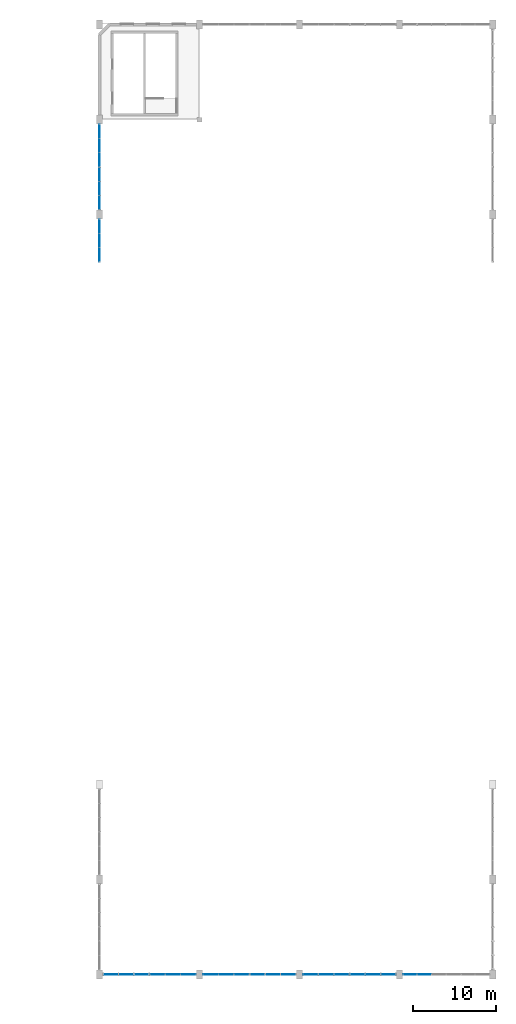
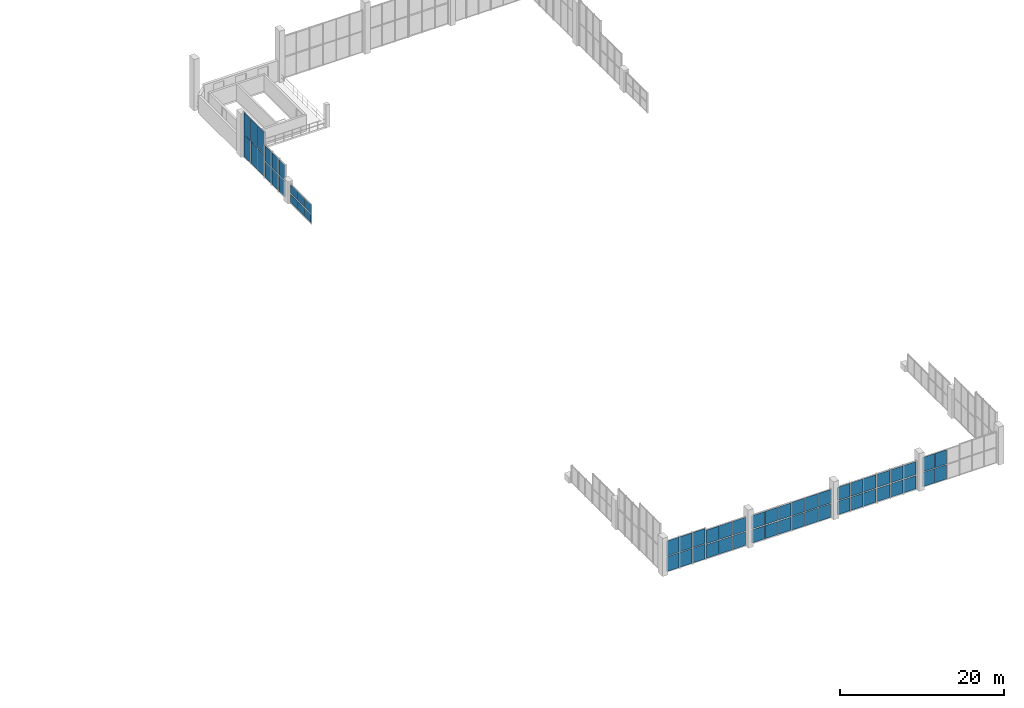
# One storey, part 20 of 28: 58 plates, 10 elements without a shape of their own.
"""IFC4 building model written with IfcOpenShell, lengths in metres."""

from ifc_helpers import new_model, si_unit, direction, frame, origin, origin_2d, place, context, subcontext, project, spatial, rectangle, extrude, material, layer, layer_set, type_object, element, aggregate, save


model = new_model("IFC4")

# Units and contexts
model_context = context("Model", 3, precision=1e-05, world=origin(), true_north=direction((0.0, 1.0)))
body_context = subcontext(model_context, "Body", "Model", "MODEL_VIEW")
ifc_project = project(units=[si_unit("LENGTHUNIT", "METRE"), si_unit("AREAUNIT", "SQUARE_METRE"), si_unit("VOLUMEUNIT", "CUBIC_METRE"), si_unit("PLANEANGLEUNIT", "RADIAN"), si_unit("MASSUNIT", "GRAM", prefix="KILO"), si_unit("POWERUNIT", "WATT"), si_unit("THERMODYNAMICTEMPERATUREUNIT", "KELVIN")], contexts=[model_context])

# Site, building, storey
site_placement = place(None, origin())
site = spatial("IfcSite", under=ifc_project, at=site_placement, CompositionType="ELEMENT")
building_placement = place(site_placement, origin())
building = spatial("IfcBuilding", under=site, at=building_placement, Name="Kelmbourne Parkland Aquatics Centre", CompositionType="ELEMENT")
storey_placement = place(building_placement, frame((0.0, 0.0, 19.199951171875)))
storey = spatial("IfcBuildingStorey", under=building, at=storey_placement, Name="L04", CompositionType="ELEMENT", Elevation=19.199951171875)

# Curtain wall, plates
ifc_material_1 = material(Name="Thermally broken anodised aluminium framing", Category="aluminium")
ifc_layer_1 = layer(ifc_material_1, 0.179931640625)
ifc_layer_set_1 = layer_set([ifc_layer_1], Name="Thermally broken anodised aluminium framing")
curtain_wall_type_1 = type_object("IfcCurtainWallType", Name="CW-08", PredefinedType="NOTDEFINED", material=ifc_layer_set_1)
curtain_wall_1_placement = place(storey_placement, origin())
curtain_wall_1 = element("IfcCurtainWall", 1, at=curtain_wall_1_placement, inside=storey, type_object=curtain_wall_type_1, Name="Wave-hall clerestory curtain wall CW-L04-080", PredefinedType="NOTDEFINED")
ifc_material_2 = material(Name="Double-glazed low-e laminated safety glass", Category="glass")
ifc_layer_2 = layer(ifc_material_2, 0.0419921875)
ifc_layer_set_2 = layer_set([ifc_layer_2], Name="Double-glazed low-e laminated safety glass")
plate_type_1 = type_object("IfcPlateType", Name="PL-CLR-1", PredefinedType="USERDEFINED", material=ifc_layer_set_2)
plate_1_placement = place(storey_placement, frame((128.0, 87.1796875, 1.591796875), z_axis=(0.0, 0.0, 1.0), x_axis=(0.0, 1.0, 0.0)))
plate_1 = element("IfcPlate", 2, at=plate_1_placement, type_object=plate_type_1, Name="CW-L04-080 clerestory glazing 1-0", ObjectType="CLERESTORY GLAZING", PredefinedType="USERDEFINED", context=body_context, shape_type="SweptSolid", body=[
    extrude(rectangle(XDim=1.641357421875, YDim=0.0419921875, at=origin_2d()), origin(), (0.0, 0.0, 1.0), 1.246826171875),
])
plate_2_placement = place(storey_placement, frame((128.0, 88.8740234375, 1.591796875), z_axis=(0.0, 0.0, 1.0), x_axis=(0.0, 1.0, 0.0)))
plate_2 = element("IfcPlate", 3, at=plate_2_placement, type_object=plate_type_1, Name="CW-L04-080 clerestory glazing 1-1", ObjectType="CLERESTORY GLAZING", PredefinedType="USERDEFINED", context=body_context, shape_type="SweptSolid", body=[
    extrude(rectangle(XDim=1.641357421875, YDim=0.0419921875, at=origin_2d()), origin(), (0.0, 0.0, 1.0), 1.246826171875),
])
plate_3_placement = place(storey_placement, frame((128.0, 90.568359375, 1.591796875), z_axis=(0.0, 0.0, 1.0), x_axis=(0.0, 1.0, 0.0)))
plate_3 = element("IfcPlate", 4, at=plate_3_placement, type_object=plate_type_1, Name="CW-L04-080 clerestory glazing 1-2", ObjectType="CLERESTORY GLAZING", PredefinedType="USERDEFINED", context=body_context, shape_type="SweptSolid", body=[
    extrude(rectangle(XDim=1.641357421875, YDim=0.0419921875, at=origin_2d()), origin(), (0.0, 0.0, 1.0), 1.246826171875),
])

ifc_layer_3 = layer(ifc_material_1, 0.179931640625)
ifc_layer_set_3 = layer_set([ifc_layer_3], Name="Thermally broken anodised aluminium framing")
curtain_wall_type_2 = type_object("IfcCurtainWallType", Name="CW-17", PredefinedType="NOTDEFINED", material=ifc_layer_set_3)
curtain_wall_2_placement = place(storey_placement, origin())
curtain_wall_2 = element("IfcCurtainWall", 5, at=curtain_wall_2_placement, inside=storey, type_object=curtain_wall_type_2, Name="Wave-hall clerestory curtain wall CW-L04-089", PredefinedType="NOTDEFINED")
plate_4_placement = place(storey_placement, frame((128.0, 93.445068359375, 2.6025390625), z_axis=(0.0, 0.0, 1.0), x_axis=(0.0, 1.0, 0.0)))
plate_4 = element("IfcPlate", 6, at=plate_4_placement, type_object=plate_type_1, Name="CW-L04-089 clerestory glazing 1-0", ObjectType="CLERESTORY GLAZING", PredefinedType="USERDEFINED", context=body_context, shape_type="SweptSolid", body=[
    extrude(rectangle(XDim=1.587890625, YDim=0.0419921875, at=origin_2d()), origin(), (0.0, 0.0, 1.0), 2.257568359375),
])
plate_5_placement = place(storey_placement, frame((128.0, 95.1259765625, 2.6025390625), z_axis=(0.0, 0.0, 1.0), x_axis=(0.0, 1.0, 0.0)))
plate_5 = element("IfcPlate", 7, at=plate_5_placement, type_object=plate_type_1, Name="CW-L04-089 clerestory glazing 1-1", ObjectType="CLERESTORY GLAZING", PredefinedType="USERDEFINED", context=body_context, shape_type="SweptSolid", body=[
    extrude(rectangle(XDim=1.587890625, YDim=0.0419921875, at=origin_2d()), origin(), (0.0, 0.0, 1.0), 2.257568359375),
])
plate_6_placement = place(storey_placement, frame((128.0, 96.806884765625, 2.6025390625), z_axis=(0.0, 0.0, 1.0), x_axis=(0.0, 1.0, 0.0)))
plate_6 = element("IfcPlate", 8, at=plate_6_placement, type_object=plate_type_1, Name="CW-L04-089 clerestory glazing 1-2", ObjectType="CLERESTORY GLAZING", PredefinedType="USERDEFINED", context=body_context, shape_type="SweptSolid", body=[
    extrude(rectangle(XDim=1.587890625, YDim=0.0419921875, at=origin_2d()), origin(), (0.0, 0.0, 1.0), 2.257568359375),
])

ifc_layer_4 = layer(ifc_material_1, 0.179931640625)
ifc_layer_set_4 = layer_set([ifc_layer_4], Name="Thermally broken anodised aluminium framing")
curtain_wall_type_3 = type_object("IfcCurtainWallType", Name="CW-24", PredefinedType="NOTDEFINED", material=ifc_layer_set_4)
curtain_wall_3_placement = place(storey_placement, origin())
curtain_wall_3 = element("IfcCurtainWall", 9, at=curtain_wall_3_placement, inside=storey, type_object=curtain_wall_type_3, Name="Wave-hall clerestory curtain wall CW-L04-096", PredefinedType="NOTDEFINED")
plate_7_placement = place(storey_placement, frame((128.0, 98.5830078125, 3.466064453125), z_axis=(0.0, 0.0, 1.0), x_axis=(0.0, 1.0, 0.0)))
plate_7 = element("IfcPlate", 10, at=plate_7_placement, type_object=plate_type_1, Name="CW-L04-096 clerestory glazing 1-0", ObjectType="CLERESTORY GLAZING", PredefinedType="USERDEFINED", context=body_context, shape_type="SweptSolid", body=[
    extrude(rectangle(XDim=1.6279296875, YDim=0.0419921875, at=origin_2d()), origin(), (0.0, 0.0, 1.0), 3.2412109375),
])
plate_8_placement = place(storey_placement, frame((128.0, 100.27392578125, 3.466064453125), z_axis=(0.0, 0.0, 1.0), x_axis=(0.0, 1.0, 0.0)))
plate_8 = element("IfcPlate", 11, at=plate_8_placement, type_object=plate_type_1, Name="CW-L04-096 clerestory glazing 1-1", ObjectType="CLERESTORY GLAZING", PredefinedType="USERDEFINED", context=body_context, shape_type="SweptSolid", body=[
    extrude(rectangle(XDim=1.6279296875, YDim=0.0419921875, at=origin_2d()), origin(), (0.0, 0.0, 1.0), 3.2412109375),
])
plate_9_placement = place(storey_placement, frame((128.0, 101.965087890625, 3.466064453125), z_axis=(0.0, 0.0, 1.0), x_axis=(0.0, 1.0, 0.0)))
plate_9 = element("IfcPlate", 12, at=plate_9_placement, type_object=plate_type_1, Name="CW-L04-096 clerestory glazing 1-2", ObjectType="CLERESTORY GLAZING", PredefinedType="USERDEFINED", context=body_context, shape_type="SweptSolid", body=[
    extrude(rectangle(XDim=1.6279296875, YDim=0.0419921875, at=origin_2d()), origin(), (0.0, 0.0, 1.0), 3.2412109375),
])

ifc_layer_5 = layer(ifc_material_1, 0.179931640625)
ifc_layer_set_5 = layer_set([ifc_layer_5], Name="Thermally broken anodised aluminium framing")
curtain_wall_type_4 = type_object("IfcCurtainWallType", Name="CW-09", PredefinedType="NOTDEFINED", material=ifc_layer_set_5)
curtain_wall_4_placement = place(storey_placement, origin())
curtain_wall_4 = element("IfcCurtainWall", 13, at=curtain_wall_4_placement, inside=storey, type_object=curtain_wall_type_4, Name="Wave-hall clerestory curtain wall CW-L04-129", PredefinedType="NOTDEFINED")
plate_10_placement = place(storey_placement, frame((129.34912109375, 0.800048828125, 2.431640625), z_axis=(0.0, 0.0, 1.0), x_axis=(1.0, 0.0, 0.0)))
plate_10 = element("IfcPlate", 14, at=plate_10_placement, type_object=plate_type_1, Name="CW-L04-129 clerestory glazing 1-0", ObjectType="CLERESTORY GLAZING", PredefinedType="USERDEFINED", context=body_context, shape_type="SweptSolid", body=[
    extrude(rectangle(XDim=1.746337890625, YDim=0.0419921875, at=origin_2d()), origin(), (0.0, 0.0, 1.0), 2.206298828125),
])
plate_11_placement = place(storey_placement, frame((131.1884765625, 0.800048828125, 2.431640625), z_axis=(0.0, 0.0, 1.0), x_axis=(1.0, 0.0, 0.0)))
plate_11 = element("IfcPlate", 15, at=plate_11_placement, type_object=plate_type_1, Name="CW-L04-129 clerestory glazing 1-1", ObjectType="CLERESTORY GLAZING", PredefinedType="USERDEFINED", context=body_context, shape_type="SweptSolid", body=[
    extrude(rectangle(XDim=1.746337890625, YDim=0.0419921875, at=origin_2d()), origin(), (0.0, 0.0, 1.0), 2.206298828125),
])
plate_12_placement = place(storey_placement, frame((133.02783203125, 0.800048828125, 2.431640625), z_axis=(0.0, 0.0, 1.0), x_axis=(1.0, 0.0, 0.0)))
plate_12 = element("IfcPlate", 16, at=plate_12_placement, type_object=plate_type_1, Name="CW-L04-129 clerestory glazing 1-2", ObjectType="CLERESTORY GLAZING", PredefinedType="USERDEFINED", context=body_context, shape_type="SweptSolid", body=[
    extrude(rectangle(XDim=1.746337890625, YDim=0.0419921875, at=origin_2d()), origin(), (0.0, 0.0, 1.0), 2.206298828125),
])

ifc_layer_6 = layer(ifc_material_1, 0.179931640625)
ifc_layer_set_6 = layer_set([ifc_layer_6], Name="Thermally broken anodised aluminium framing")
curtain_wall_type_5 = type_object("IfcCurtainWallType", Name="CW-10", PredefinedType="NOTDEFINED", material=ifc_layer_set_6)
curtain_wall_5_placement = place(storey_placement, origin())
curtain_wall_5 = element("IfcCurtainWall", 17, at=curtain_wall_5_placement, inside=storey, type_object=curtain_wall_type_5, Name="Wave-hall clerestory curtain wall CW-L04-130", PredefinedType="NOTDEFINED")
plate_13_placement = place(storey_placement, frame((134.958984375, 0.800048828125, 2.3046875), z_axis=(0.0, 0.0, 1.0), x_axis=(1.0, 0.0, 0.0)))
plate_13 = element("IfcPlate", 18, at=plate_13_placement, type_object=plate_type_1, Name="CW-L04-130 clerestory glazing 1-0", ObjectType="CLERESTORY GLAZING", PredefinedType="USERDEFINED", context=body_context, shape_type="SweptSolid", body=[
    extrude(rectangle(XDim=1.7998046875, YDim=0.0419921875, at=origin_2d()), origin(), (0.0, 0.0, 1.0), 2.019775390625),
])
plate_14_placement = place(storey_placement, frame((136.8115234375, 0.800048828125, 2.3046875), z_axis=(0.0, 0.0, 1.0), x_axis=(1.0, 0.0, 0.0)))
plate_14 = element("IfcPlate", 19, at=plate_14_placement, type_object=plate_type_1, Name="CW-L04-130 clerestory glazing 1-1", ObjectType="CLERESTORY GLAZING", PredefinedType="USERDEFINED", context=body_context, shape_type="SweptSolid", body=[
    extrude(rectangle(XDim=1.799560546875, YDim=0.0419921875, at=origin_2d()), origin(), (0.0, 0.0, 1.0), 2.019775390625),
])
plate_15_placement = place(storey_placement, frame((138.664306640625, 0.800048828125, 2.3046875), z_axis=(0.0, 0.0, 1.0), x_axis=(1.0, 0.0, 0.0)))
plate_15 = element("IfcPlate", 20, at=plate_15_placement, type_object=plate_type_1, Name="CW-L04-130 clerestory glazing 1-2", ObjectType="CLERESTORY GLAZING", PredefinedType="USERDEFINED", context=body_context, shape_type="SweptSolid", body=[
    extrude(rectangle(XDim=1.7998046875, YDim=0.0419921875, at=origin_2d()), origin(), (0.0, 0.0, 1.0), 2.019775390625),
])

ifc_layer_7 = layer(ifc_material_1, 0.179931640625)
ifc_layer_set_7 = layer_set([ifc_layer_7], Name="Thermally broken anodised aluminium framing")
curtain_wall_type_6 = type_object("IfcCurtainWallType", Name="CW-11", PredefinedType="NOTDEFINED", material=ifc_layer_set_7)
curtain_wall_6_placement = place(storey_placement, origin())
curtain_wall_6 = element("IfcCurtainWall", 21, at=curtain_wall_6_placement, inside=storey, type_object=curtain_wall_type_6, Name="Wave-hall clerestory curtain wall CW-L04-131", PredefinedType="NOTDEFINED")
plate_16_placement = place(storey_placement, frame((141.339111328125, 0.800048828125, 2.2841796875), z_axis=(0.0, 0.0, 1.0), x_axis=(1.0, 0.0, 0.0)))
plate_16 = element("IfcPlate", 22, at=plate_16_placement, type_object=plate_type_1, Name="CW-L04-131 clerestory glazing 1-0", ObjectType="CLERESTORY GLAZING", PredefinedType="USERDEFINED", context=body_context, shape_type="SweptSolid", body=[
    extrude(rectangle(XDim=1.786376953125, YDim=0.0419921875, at=origin_2d()), origin(), (0.0, 0.0, 1.0), 1.939208984375),
])
plate_17_placement = place(storey_placement, frame((143.1884765625, 0.800048828125, 2.2841796875), z_axis=(0.0, 0.0, 1.0), x_axis=(1.0, 0.0, 0.0)))
plate_17 = element("IfcPlate", 23, at=plate_17_placement, type_object=plate_type_1, Name="CW-L04-131 clerestory glazing 1-1", ObjectType="CLERESTORY GLAZING", PredefinedType="USERDEFINED", context=body_context, shape_type="SweptSolid", body=[
    extrude(rectangle(XDim=1.786376953125, YDim=0.0419921875, at=origin_2d()), origin(), (0.0, 0.0, 1.0), 1.939208984375),
])
plate_18_placement = place(storey_placement, frame((145.037841796875, 0.800048828125, 2.2841796875), z_axis=(0.0, 0.0, 1.0), x_axis=(1.0, 0.0, 0.0)))
plate_18 = element("IfcPlate", 24, at=plate_18_placement, type_object=plate_type_1, Name="CW-L04-131 clerestory glazing 1-2", ObjectType="CLERESTORY GLAZING", PredefinedType="USERDEFINED", context=body_context, shape_type="SweptSolid", body=[
    extrude(rectangle(XDim=1.786376953125, YDim=0.0419921875, at=origin_2d()), origin(), (0.0, 0.0, 1.0), 1.939208984375),
])

ifc_layer_8 = layer(ifc_material_1, 0.179931640625)
ifc_layer_set_8 = layer_set([ifc_layer_8], Name="Thermally broken anodised aluminium framing")
curtain_wall_type_7 = type_object("IfcCurtainWallType", Name="CW-12", PredefinedType="NOTDEFINED", material=ifc_layer_set_8)
curtain_wall_7_placement = place(storey_placement, origin())
curtain_wall_7 = element("IfcCurtainWall", 25, at=curtain_wall_7_placement, inside=storey, type_object=curtain_wall_type_7, Name="Wave-hall clerestory curtain wall CW-L04-132", PredefinedType="NOTDEFINED")
plate_19_placement = place(storey_placement, frame((146.965576171875, 0.800048828125, 2.24267578125), z_axis=(0.0, 0.0, 1.0), x_axis=(1.0, 0.0, 0.0)))
plate_19 = element("IfcPlate", 26, at=plate_19_placement, type_object=plate_type_1, Name="CW-L04-132 clerestory glazing 1-0", ObjectType="CLERESTORY GLAZING", PredefinedType="USERDEFINED", context=body_context, shape_type="SweptSolid", body=[
    extrude(rectangle(XDim=1.77294921875, YDim=0.0419921875, at=origin_2d()), origin(), (0.0, 0.0, 1.0), 2.017578125),
])
plate_20_placement = place(storey_placement, frame((148.8115234375, 0.800048828125, 2.24267578125), z_axis=(0.0, 0.0, 1.0), x_axis=(1.0, 0.0, 0.0)))
plate_20 = element("IfcPlate", 27, at=plate_20_placement, type_object=plate_type_1, Name="CW-L04-132 clerestory glazing 1-1", ObjectType="CLERESTORY GLAZING", PredefinedType="USERDEFINED", context=body_context, shape_type="SweptSolid", body=[
    extrude(rectangle(XDim=1.77294921875, YDim=0.0419921875, at=origin_2d()), origin(), (0.0, 0.0, 1.0), 2.017578125),
])
plate_21_placement = place(storey_placement, frame((150.657470703125, 0.800048828125, 2.24267578125), z_axis=(0.0, 0.0, 1.0), x_axis=(1.0, 0.0, 0.0)))
plate_21 = element("IfcPlate", 28, at=plate_21_placement, type_object=plate_type_1, Name="CW-L04-132 clerestory glazing 1-2", ObjectType="CLERESTORY GLAZING", PredefinedType="USERDEFINED", context=body_context, shape_type="SweptSolid", body=[
    extrude(rectangle(XDim=1.77294921875, YDim=0.0419921875, at=origin_2d()), origin(), (0.0, 0.0, 1.0), 2.017578125),
])

ifc_layer_9 = layer(ifc_material_1, 0.179931640625)
ifc_layer_set_9 = layer_set([ifc_layer_9], Name="Thermally broken anodised aluminium framing")
curtain_wall_type_8 = type_object("IfcCurtainWallType", Name="CW-13", PredefinedType="NOTDEFINED", material=ifc_layer_set_9)
curtain_wall_8_placement = place(storey_placement, origin())
curtain_wall_8 = element("IfcCurtainWall", 29, at=curtain_wall_8_placement, inside=storey, type_object=curtain_wall_type_8, Name="Wave-hall clerestory curtain wall CW-L04-133", PredefinedType="NOTDEFINED")
plate_22_placement = place(storey_placement, frame((153.345947265625, 0.800048828125, 2.2578125), z_axis=(0.0, 0.0, 1.0), x_axis=(1.0, 0.0, 0.0)))
plate_22 = element("IfcPlate", 30, at=plate_22_placement, type_object=plate_type_1, Name="CW-L04-133 clerestory glazing 1-0", ObjectType="CLERESTORY GLAZING", PredefinedType="USERDEFINED", context=body_context, shape_type="SweptSolid", body=[
    extrude(rectangle(XDim=1.759765625, YDim=0.0419921875, at=origin_2d()), origin(), (0.0, 0.0, 1.0), 1.972412109375),
])
plate_23_placement = place(storey_placement, frame((155.1884765625, 0.800048828125, 2.2578125), z_axis=(0.0, 0.0, 1.0), x_axis=(1.0, 0.0, 0.0)))
plate_23 = element("IfcPlate", 31, at=plate_23_placement, type_object=plate_type_1, Name="CW-L04-133 clerestory glazing 1-1", ObjectType="CLERESTORY GLAZING", PredefinedType="USERDEFINED", context=body_context, shape_type="SweptSolid", body=[
    extrude(rectangle(XDim=1.759521484375, YDim=0.0419921875, at=origin_2d()), origin(), (0.0, 0.0, 1.0), 1.972412109375),
])
plate_24_placement = place(storey_placement, frame((157.031005859375, 0.800048828125, 2.2578125), z_axis=(0.0, 0.0, 1.0), x_axis=(1.0, 0.0, 0.0)))
plate_24 = element("IfcPlate", 32, at=plate_24_placement, type_object=plate_type_1, Name="CW-L04-133 clerestory glazing 1-2", ObjectType="CLERESTORY GLAZING", PredefinedType="USERDEFINED", context=body_context, shape_type="SweptSolid", body=[
    extrude(rectangle(XDim=1.759765625, YDim=0.0419921875, at=origin_2d()), origin(), (0.0, 0.0, 1.0), 1.972412109375),
])

ifc_layer_10 = layer(ifc_material_1, 0.179931640625)
ifc_layer_set_10 = layer_set([ifc_layer_10], Name="Thermally broken anodised aluminium framing")
curtain_wall_type_9 = type_object("IfcCurtainWallType", Name="CW-14", PredefinedType="NOTDEFINED", material=ifc_layer_set_10)
curtain_wall_9_placement = place(storey_placement, origin())
curtain_wall_9 = element("IfcCurtainWall", 33, at=curtain_wall_9_placement, inside=storey, type_object=curtain_wall_type_9, Name="Wave-hall clerestory curtain wall CW-L04-134", PredefinedType="NOTDEFINED")
plate_25_placement = place(storey_placement, frame((158.97216796875, 0.800048828125, 2.2841796875), z_axis=(0.0, 0.0, 1.0), x_axis=(1.0, 0.0, 0.0)))
plate_25 = element("IfcPlate", 34, at=plate_25_placement, type_object=plate_type_1, Name="CW-L04-134 clerestory glazing 1-0", ObjectType="CLERESTORY GLAZING", PredefinedType="USERDEFINED", context=body_context, shape_type="SweptSolid", body=[
    extrude(rectangle(XDim=1.746337890625, YDim=0.0419921875, at=origin_2d()), origin(), (0.0, 0.0, 1.0), 1.939208984375),
])
plate_26_placement = place(storey_placement, frame((160.8115234375, 0.800048828125, 2.2841796875), z_axis=(0.0, 0.0, 1.0), x_axis=(1.0, 0.0, 0.0)))
plate_26 = element("IfcPlate", 35, at=plate_26_placement, type_object=plate_type_1, Name="CW-L04-134 clerestory glazing 1-1", ObjectType="CLERESTORY GLAZING", PredefinedType="USERDEFINED", context=body_context, shape_type="SweptSolid", body=[
    extrude(rectangle(XDim=1.746337890625, YDim=0.0419921875, at=origin_2d()), origin(), (0.0, 0.0, 1.0), 1.939208984375),
])
plate_27_placement = place(storey_placement, frame((162.65087890625, 0.800048828125, 2.2841796875), z_axis=(0.0, 0.0, 1.0), x_axis=(1.0, 0.0, 0.0)))
plate_27 = element("IfcPlate", 36, at=plate_27_placement, type_object=plate_type_1, Name="CW-L04-134 clerestory glazing 1-2", ObjectType="CLERESTORY GLAZING", PredefinedType="USERDEFINED", context=body_context, shape_type="SweptSolid", body=[
    extrude(rectangle(XDim=1.746337890625, YDim=0.0419921875, at=origin_2d()), origin(), (0.0, 0.0, 1.0), 1.939208984375),
])

ifc_layer_11 = layer(ifc_material_1, 0.179931640625)
ifc_layer_set_11 = layer_set([ifc_layer_11], Name="Thermally broken anodised aluminium framing")
curtain_wall_type_10 = type_object("IfcCurtainWallType", Name="CW-15", PredefinedType="NOTDEFINED", material=ifc_layer_set_11)
curtain_wall_10_placement = place(storey_placement, origin())
curtain_wall_10 = element("IfcCurtainWall", 37, at=curtain_wall_10_placement, inside=storey, type_object=curtain_wall_type_10, Name="Wave-hall clerestory curtain wall CW-L04-135", PredefinedType="NOTDEFINED")
plate_28_placement = place(storey_placement, frame((165.26904296875, 0.800048828125, 2.3486328125), z_axis=(0.0, 0.0, 1.0), x_axis=(1.0, 0.0, 0.0)))
plate_28 = element("IfcPlate", 38, at=plate_28_placement, type_object=plate_type_1, Name="CW-L04-135 clerestory glazing 1-0", ObjectType="CLERESTORY GLAZING", PredefinedType="USERDEFINED", context=body_context, shape_type="SweptSolid", body=[
    extrude(rectangle(XDim=1.666259765625, YDim=0.0419921875, at=origin_2d()), origin(), (0.0, 0.0, 1.0), 2.123779296875),
])
plate_29_placement = place(storey_placement, frame((166.988525390625, 0.800048828125, 2.3486328125), z_axis=(0.0, 0.0, 1.0), x_axis=(1.0, 0.0, 0.0)))
plate_29 = element("IfcPlate", 39, at=plate_29_placement, type_object=plate_type_1, Name="CW-L04-135 clerestory glazing 1-1", ObjectType="CLERESTORY GLAZING", PredefinedType="USERDEFINED", context=body_context, shape_type="SweptSolid", body=[
    extrude(rectangle(XDim=1.66650390625, YDim=0.0419921875, at=origin_2d()), origin(), (0.0, 0.0, 1.0), 2.123779296875),
])

# Plate
ifc_layer_12 = layer(ifc_material_2, 0.02392578125)
ifc_layer_set_12 = layer_set([ifc_layer_12], Name="Double-glazed low-e laminated safety glass")
plate_type_2 = type_object("IfcPlateType", Name="PL-CWP-1", PredefinedType="CURTAIN_PANEL", material=ifc_layer_set_12)
plate_30_placement = place(storey_placement, frame((128.0, 98.5830078125, 0.116943359375), z_axis=(0.0, 0.0, 1.0), x_axis=(0.0, 1.0, 0.0)))
plate_30 = element("IfcPlate", 40, at=plate_30_placement, type_object=plate_type_2, Name="CW-L04-096 vision glazing 0-0", PredefinedType="CURTAIN_PANEL", context=body_context, shape_type="SweptSolid", body=[
    extrude(rectangle(XDim=1.6279296875, YDim=0.02392578125, at=origin_2d()), origin(), (0.0, 0.0, 1.0), 3.2412109375),
])

plate_31_placement = place(storey_placement, frame((128.0, 100.27392578125, 0.116943359375), z_axis=(0.0, 0.0, 1.0), x_axis=(0.0, 1.0, 0.0)))
plate_31 = element("IfcPlate", 41, at=plate_31_placement, type_object=plate_type_2, Name="CW-L04-096 vision glazing 0-1", PredefinedType="CURTAIN_PANEL", context=body_context, shape_type="SweptSolid", body=[
    extrude(rectangle(XDim=1.6279296875, YDim=0.02392578125, at=origin_2d()), origin(), (0.0, 0.0, 1.0), 3.2412109375),
])

plate_32_placement = place(storey_placement, frame((128.0, 101.965087890625, 0.116943359375), z_axis=(0.0, 0.0, 1.0), x_axis=(0.0, 1.0, 0.0)))
plate_32 = element("IfcPlate", 42, at=plate_32_placement, type_object=plate_type_2, Name="CW-L04-096 vision glazing 0-2", PredefinedType="CURTAIN_PANEL", context=body_context, shape_type="SweptSolid", body=[
    extrude(rectangle(XDim=1.6279296875, YDim=0.02392578125, at=origin_2d()), origin(), (0.0, 0.0, 1.0), 3.2412109375),
])

aggregate(curtain_wall_3, [plate_30, plate_31, plate_32, plate_7, plate_8, plate_9])

plate_33_placement = place(storey_placement, frame((129.34912109375, 0.800048828125, 0.1171875), z_axis=(0.0, 0.0, 1.0), x_axis=(1.0, 0.0, 0.0)))
plate_33 = element("IfcPlate", 43, at=plate_33_placement, type_object=plate_type_2, Name="CW-L04-129 vision glazing 0-0", PredefinedType="CURTAIN_PANEL", context=body_context, shape_type="SweptSolid", body=[
    extrude(rectangle(XDim=1.746337890625, YDim=0.02392578125, at=origin_2d()), origin(), (0.0, 0.0, 1.0), 2.206298828125),
])

plate_34_placement = place(storey_placement, frame((131.1884765625, 0.800048828125, 0.1171875), z_axis=(0.0, 0.0, 1.0), x_axis=(1.0, 0.0, 0.0)))
plate_34 = element("IfcPlate", 44, at=plate_34_placement, type_object=plate_type_2, Name="CW-L04-129 vision glazing 0-1", PredefinedType="CURTAIN_PANEL", context=body_context, shape_type="SweptSolid", body=[
    extrude(rectangle(XDim=1.746337890625, YDim=0.02392578125, at=origin_2d()), origin(), (0.0, 0.0, 1.0), 2.206298828125),
])

plate_35_placement = place(storey_placement, frame((133.02783203125, 0.800048828125, 0.1171875), z_axis=(0.0, 0.0, 1.0), x_axis=(1.0, 0.0, 0.0)))
plate_35 = element("IfcPlate", 45, at=plate_35_placement, type_object=plate_type_2, Name="CW-L04-129 vision glazing 0-2", PredefinedType="CURTAIN_PANEL", context=body_context, shape_type="SweptSolid", body=[
    extrude(rectangle(XDim=1.746337890625, YDim=0.02392578125, at=origin_2d()), origin(), (0.0, 0.0, 1.0), 2.206298828125),
])

aggregate(curtain_wall_4, [plate_33, plate_34, plate_35, plate_10, plate_11, plate_12])

plate_36_placement = place(storey_placement, frame((146.965576171875, 0.800048828125, 0.116943359375), z_axis=(0.0, 0.0, 1.0), x_axis=(1.0, 0.0, 0.0)))
plate_36 = element("IfcPlate", 46, at=plate_36_placement, type_object=plate_type_2, Name="CW-L04-132 vision glazing 0-0", PredefinedType="CURTAIN_PANEL", context=body_context, shape_type="SweptSolid", body=[
    extrude(rectangle(XDim=1.77294921875, YDim=0.02392578125, at=origin_2d()), origin(), (0.0, 0.0, 1.0), 2.017578125),
])

plate_37_placement = place(storey_placement, frame((148.8115234375, 0.800048828125, 0.116943359375), z_axis=(0.0, 0.0, 1.0), x_axis=(1.0, 0.0, 0.0)))
plate_37 = element("IfcPlate", 47, at=plate_37_placement, type_object=plate_type_2, Name="CW-L04-132 vision glazing 0-1", PredefinedType="CURTAIN_PANEL", context=body_context, shape_type="SweptSolid", body=[
    extrude(rectangle(XDim=1.77294921875, YDim=0.02392578125, at=origin_2d()), origin(), (0.0, 0.0, 1.0), 2.017578125),
])

plate_38_placement = place(storey_placement, frame((150.657470703125, 0.800048828125, 0.116943359375), z_axis=(0.0, 0.0, 1.0), x_axis=(1.0, 0.0, 0.0)))
plate_38 = element("IfcPlate", 48, at=plate_38_placement, type_object=plate_type_2, Name="CW-L04-132 vision glazing 0-2", PredefinedType="CURTAIN_PANEL", context=body_context, shape_type="SweptSolid", body=[
    extrude(rectangle(XDim=1.77294921875, YDim=0.02392578125, at=origin_2d()), origin(), (0.0, 0.0, 1.0), 2.017578125),
])

aggregate(curtain_wall_7, [plate_36, plate_37, plate_38, plate_19, plate_20, plate_21])

plate_39_placement = place(storey_placement, frame((165.26904296875, 0.800048828125, 0.1171875), z_axis=(0.0, 0.0, 1.0), x_axis=(1.0, 0.0, 0.0)))
plate_39 = element("IfcPlate", 49, at=plate_39_placement, type_object=plate_type_2, Name="CW-L04-135 vision glazing 0-0", PredefinedType="CURTAIN_PANEL", context=body_context, shape_type="SweptSolid", body=[
    extrude(rectangle(XDim=1.666259765625, YDim=0.02392578125, at=origin_2d()), origin(), (0.0, 0.0, 1.0), 2.123779296875),
])

plate_40_placement = place(storey_placement, frame((166.988525390625, 0.800048828125, 0.1171875), z_axis=(0.0, 0.0, 1.0), x_axis=(1.0, 0.0, 0.0)))
plate_40 = element("IfcPlate", 50, at=plate_40_placement, type_object=plate_type_2, Name="CW-L04-135 vision glazing 0-1", PredefinedType="CURTAIN_PANEL", context=body_context, shape_type="SweptSolid", body=[
    extrude(rectangle(XDim=1.66650390625, YDim=0.02392578125, at=origin_2d()), origin(), (0.0, 0.0, 1.0), 2.123779296875),
])

aggregate(curtain_wall_10, [plate_39, plate_40, plate_28, plate_29])

ifc_layer_13 = layer(ifc_material_2, 0.035888671875)
ifc_layer_set_13 = layer_set([ifc_layer_13], Name="Double-glazed low-e laminated safety glass")
plate_type_3 = type_object("IfcPlateType", Name="PL-CWP-2", PredefinedType="CURTAIN_PANEL", material=ifc_layer_set_13)
plate_41_placement = place(storey_placement, frame((134.958984375, 0.800048828125, 0.14697265625), z_axis=(0.0, 0.0, 1.0), x_axis=(1.0, 0.0, 0.0)))
plate_41 = element("IfcPlate", 51, at=plate_41_placement, type_object=plate_type_3, Name="CW-L04-130 vision glazing 0-0", PredefinedType="CURTAIN_PANEL", context=body_context, shape_type="SweptSolid", body=[
    extrude(rectangle(XDim=1.7998046875, YDim=0.035888671875, at=origin_2d()), origin(), (0.0, 0.0, 1.0), 2.019775390625),
])

plate_42_placement = place(storey_placement, frame((136.8115234375, 0.800048828125, 0.14697265625), z_axis=(0.0, 0.0, 1.0), x_axis=(1.0, 0.0, 0.0)))
plate_42 = element("IfcPlate", 52, at=plate_42_placement, type_object=plate_type_3, Name="CW-L04-130 vision glazing 0-1", PredefinedType="CURTAIN_PANEL", context=body_context, shape_type="SweptSolid", body=[
    extrude(rectangle(XDim=1.799560546875, YDim=0.035888671875, at=origin_2d()), origin(), (0.0, 0.0, 1.0), 2.019775390625),
])

plate_43_placement = place(storey_placement, frame((138.664306640625, 0.800048828125, 0.14697265625), z_axis=(0.0, 0.0, 1.0), x_axis=(1.0, 0.0, 0.0)))
plate_43 = element("IfcPlate", 53, at=plate_43_placement, type_object=plate_type_3, Name="CW-L04-130 vision glazing 0-2", PredefinedType="CURTAIN_PANEL", context=body_context, shape_type="SweptSolid", body=[
    extrude(rectangle(XDim=1.7998046875, YDim=0.035888671875, at=origin_2d()), origin(), (0.0, 0.0, 1.0), 2.019775390625),
])

aggregate(curtain_wall_5, [plate_41, plate_42, plate_43, plate_13, plate_14, plate_15])

plate_44_placement = place(storey_placement, frame((153.345947265625, 0.800048828125, 0.14697265625), z_axis=(0.0, 0.0, 1.0), x_axis=(1.0, 0.0, 0.0)))
plate_44 = element("IfcPlate", 54, at=plate_44_placement, type_object=plate_type_3, Name="CW-L04-133 vision glazing 0-0", PredefinedType="CURTAIN_PANEL", context=body_context, shape_type="SweptSolid", body=[
    extrude(rectangle(XDim=1.759765625, YDim=0.035888671875, at=origin_2d()), origin(), (0.0, 0.0, 1.0), 1.972412109375),
])

plate_45_placement = place(storey_placement, frame((155.1884765625, 0.800048828125, 0.14697265625), z_axis=(0.0, 0.0, 1.0), x_axis=(1.0, 0.0, 0.0)))
plate_45 = element("IfcPlate", 55, at=plate_45_placement, type_object=plate_type_3, Name="CW-L04-133 vision glazing 0-1", PredefinedType="CURTAIN_PANEL", context=body_context, shape_type="SweptSolid", body=[
    extrude(rectangle(XDim=1.759521484375, YDim=0.035888671875, at=origin_2d()), origin(), (0.0, 0.0, 1.0), 1.972412109375),
])

plate_46_placement = place(storey_placement, frame((157.031005859375, 0.800048828125, 0.14697265625), z_axis=(0.0, 0.0, 1.0), x_axis=(1.0, 0.0, 0.0)))
plate_46 = element("IfcPlate", 56, at=plate_46_placement, type_object=plate_type_3, Name="CW-L04-133 vision glazing 0-2", PredefinedType="CURTAIN_PANEL", context=body_context, shape_type="SweptSolid", body=[
    extrude(rectangle(XDim=1.759765625, YDim=0.035888671875, at=origin_2d()), origin(), (0.0, 0.0, 1.0), 1.972412109375),
])

aggregate(curtain_wall_8, [plate_44, plate_45, plate_46, plate_22, plate_23, plate_24])

ifc_layer_14 = layer(ifc_material_2, 0.048095703125)
ifc_layer_set_14 = layer_set([ifc_layer_14], Name="Double-glazed low-e laminated safety glass")
plate_type_4 = type_object("IfcPlateType", Name="PL-CWP-3", PredefinedType="CURTAIN_PANEL", material=ifc_layer_set_14)
plate_47_placement = place(storey_placement, frame((128.0, 87.1796875, 0.177001953125), z_axis=(0.0, 0.0, 1.0), x_axis=(0.0, 1.0, 0.0)))
plate_47 = element("IfcPlate", 57, at=plate_47_placement, type_object=plate_type_4, Name="CW-L04-080 vision glazing 0-0", PredefinedType="CURTAIN_PANEL", context=body_context, shape_type="SweptSolid", body=[
    extrude(rectangle(XDim=1.641357421875, YDim=0.048095703125, at=origin_2d()), origin(), (0.0, 0.0, 1.0), 1.2470703125),
])

plate_48_placement = place(storey_placement, frame((128.0, 88.8740234375, 0.177001953125), z_axis=(0.0, 0.0, 1.0), x_axis=(0.0, 1.0, 0.0)))
plate_48 = element("IfcPlate", 58, at=plate_48_placement, type_object=plate_type_4, Name="CW-L04-080 vision glazing 0-1", PredefinedType="CURTAIN_PANEL", context=body_context, shape_type="SweptSolid", body=[
    extrude(rectangle(XDim=1.641357421875, YDim=0.048095703125, at=origin_2d()), origin(), (0.0, 0.0, 1.0), 1.2470703125),
])

plate_49_placement = place(storey_placement, frame((128.0, 90.568359375, 0.177001953125), z_axis=(0.0, 0.0, 1.0), x_axis=(0.0, 1.0, 0.0)))
plate_49 = element("IfcPlate", 59, at=plate_49_placement, type_object=plate_type_4, Name="CW-L04-080 vision glazing 0-2", PredefinedType="CURTAIN_PANEL", context=body_context, shape_type="SweptSolid", body=[
    extrude(rectangle(XDim=1.641357421875, YDim=0.048095703125, at=origin_2d()), origin(), (0.0, 0.0, 1.0), 1.2470703125),
])

aggregate(curtain_wall_1, [plate_47, plate_48, plate_49, plate_1, plate_2, plate_3])

plate_50_placement = place(storey_placement, frame((128.0, 93.445068359375, 0.17724609375), z_axis=(0.0, 0.0, 1.0), x_axis=(0.0, 1.0, 0.0)))
plate_50 = element("IfcPlate", 60, at=plate_50_placement, type_object=plate_type_4, Name="CW-L04-089 vision glazing 0-0", PredefinedType="CURTAIN_PANEL", context=body_context, shape_type="SweptSolid", body=[
    extrude(rectangle(XDim=1.587890625, YDim=0.048095703125, at=origin_2d()), origin(), (0.0, 0.0, 1.0), 2.257568359375),
])

plate_51_placement = place(storey_placement, frame((128.0, 95.1259765625, 0.17724609375), z_axis=(0.0, 0.0, 1.0), x_axis=(0.0, 1.0, 0.0)))
plate_51 = element("IfcPlate", 61, at=plate_51_placement, type_object=plate_type_4, Name="CW-L04-089 vision glazing 0-1", PredefinedType="CURTAIN_PANEL", context=body_context, shape_type="SweptSolid", body=[
    extrude(rectangle(XDim=1.587890625, YDim=0.048095703125, at=origin_2d()), origin(), (0.0, 0.0, 1.0), 2.257568359375),
])

plate_52_placement = place(storey_placement, frame((128.0, 96.806884765625, 0.17724609375), z_axis=(0.0, 0.0, 1.0), x_axis=(0.0, 1.0, 0.0)))
plate_52 = element("IfcPlate", 62, at=plate_52_placement, type_object=plate_type_4, Name="CW-L04-089 vision glazing 0-2", PredefinedType="CURTAIN_PANEL", context=body_context, shape_type="SweptSolid", body=[
    extrude(rectangle(XDim=1.587890625, YDim=0.048095703125, at=origin_2d()), origin(), (0.0, 0.0, 1.0), 2.257568359375),
])

aggregate(curtain_wall_2, [plate_50, plate_51, plate_52, plate_4, plate_5, plate_6])

plate_53_placement = place(storey_placement, frame((141.339111328125, 0.800048828125, 0.17724609375), z_axis=(0.0, 0.0, 1.0), x_axis=(1.0, 0.0, 0.0)))
plate_53 = element("IfcPlate", 63, at=plate_53_placement, type_object=plate_type_4, Name="CW-L04-131 vision glazing 0-0", PredefinedType="CURTAIN_PANEL", context=body_context, shape_type="SweptSolid", body=[
    extrude(rectangle(XDim=1.786376953125, YDim=0.048095703125, at=origin_2d()), origin(), (0.0, 0.0, 1.0), 1.939208984375),
])

plate_54_placement = place(storey_placement, frame((143.1884765625, 0.800048828125, 0.17724609375), z_axis=(0.0, 0.0, 1.0), x_axis=(1.0, 0.0, 0.0)))
plate_54 = element("IfcPlate", 64, at=plate_54_placement, type_object=plate_type_4, Name="CW-L04-131 vision glazing 0-1", PredefinedType="CURTAIN_PANEL", context=body_context, shape_type="SweptSolid", body=[
    extrude(rectangle(XDim=1.786376953125, YDim=0.048095703125, at=origin_2d()), origin(), (0.0, 0.0, 1.0), 1.939208984375),
])

plate_55_placement = place(storey_placement, frame((145.037841796875, 0.800048828125, 0.17724609375), z_axis=(0.0, 0.0, 1.0), x_axis=(1.0, 0.0, 0.0)))
plate_55 = element("IfcPlate", 65, at=plate_55_placement, type_object=plate_type_4, Name="CW-L04-131 vision glazing 0-2", PredefinedType="CURTAIN_PANEL", context=body_context, shape_type="SweptSolid", body=[
    extrude(rectangle(XDim=1.786376953125, YDim=0.048095703125, at=origin_2d()), origin(), (0.0, 0.0, 1.0), 1.939208984375),
])

aggregate(curtain_wall_6, [plate_53, plate_54, plate_55, plate_16, plate_17, plate_18])

plate_56_placement = place(storey_placement, frame((158.97216796875, 0.800048828125, 0.17724609375), z_axis=(0.0, 0.0, 1.0), x_axis=(1.0, 0.0, 0.0)))
plate_56 = element("IfcPlate", 66, at=plate_56_placement, type_object=plate_type_4, Name="CW-L04-134 vision glazing 0-0", PredefinedType="CURTAIN_PANEL", context=body_context, shape_type="SweptSolid", body=[
    extrude(rectangle(XDim=1.746337890625, YDim=0.048095703125, at=origin_2d()), origin(), (0.0, 0.0, 1.0), 1.939208984375),
])

plate_57_placement = place(storey_placement, frame((160.8115234375, 0.800048828125, 0.17724609375), z_axis=(0.0, 0.0, 1.0), x_axis=(1.0, 0.0, 0.0)))
plate_57 = element("IfcPlate", 67, at=plate_57_placement, type_object=plate_type_4, Name="CW-L04-134 vision glazing 0-1", PredefinedType="CURTAIN_PANEL", context=body_context, shape_type="SweptSolid", body=[
    extrude(rectangle(XDim=1.746337890625, YDim=0.048095703125, at=origin_2d()), origin(), (0.0, 0.0, 1.0), 1.939208984375),
])

plate_58_placement = place(storey_placement, frame((162.65087890625, 0.800048828125, 0.17724609375), z_axis=(0.0, 0.0, 1.0), x_axis=(1.0, 0.0, 0.0)))
plate_58 = element("IfcPlate", 68, at=plate_58_placement, type_object=plate_type_4, Name="CW-L04-134 vision glazing 0-2", PredefinedType="CURTAIN_PANEL", context=body_context, shape_type="SweptSolid", body=[
    extrude(rectangle(XDim=1.746337890625, YDim=0.048095703125, at=origin_2d()), origin(), (0.0, 0.0, 1.0), 1.939208984375),
])

aggregate(curtain_wall_9, [plate_56, plate_57, plate_58, plate_25, plate_26, plate_27])

save(model, "model.ifc")
